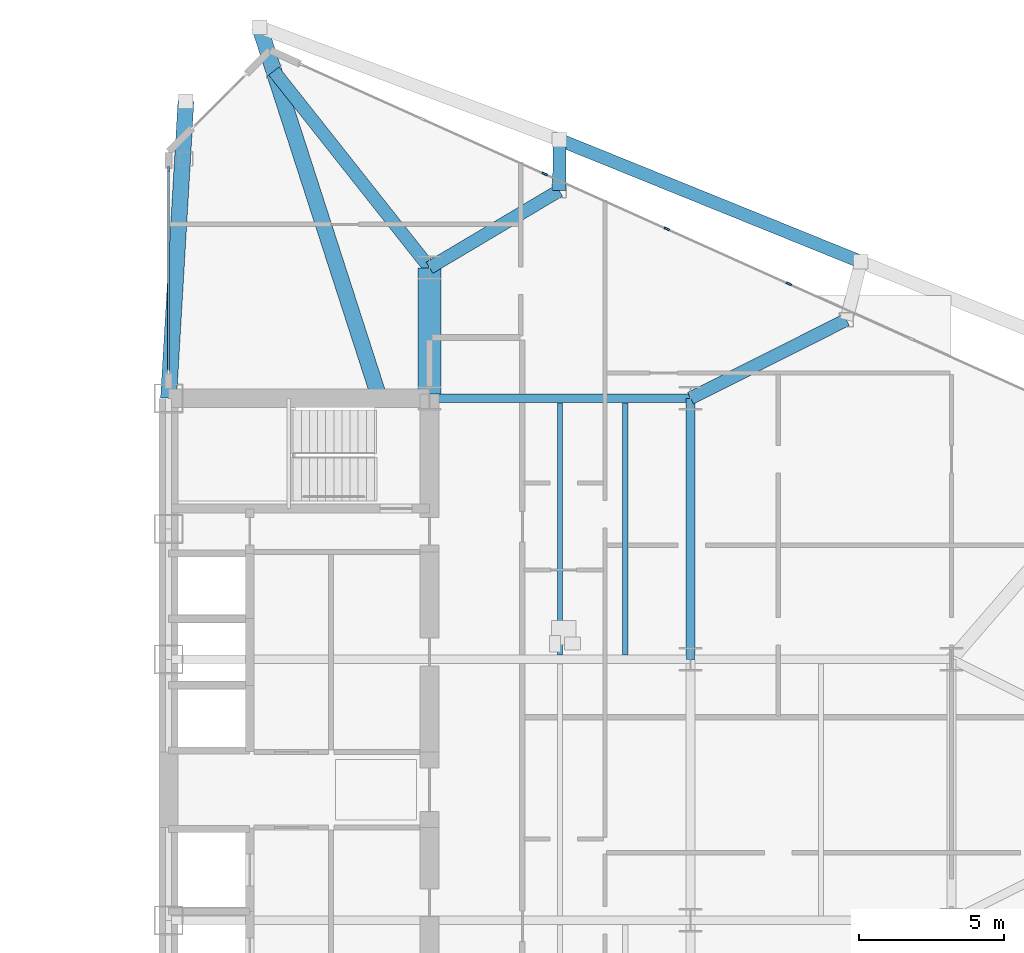
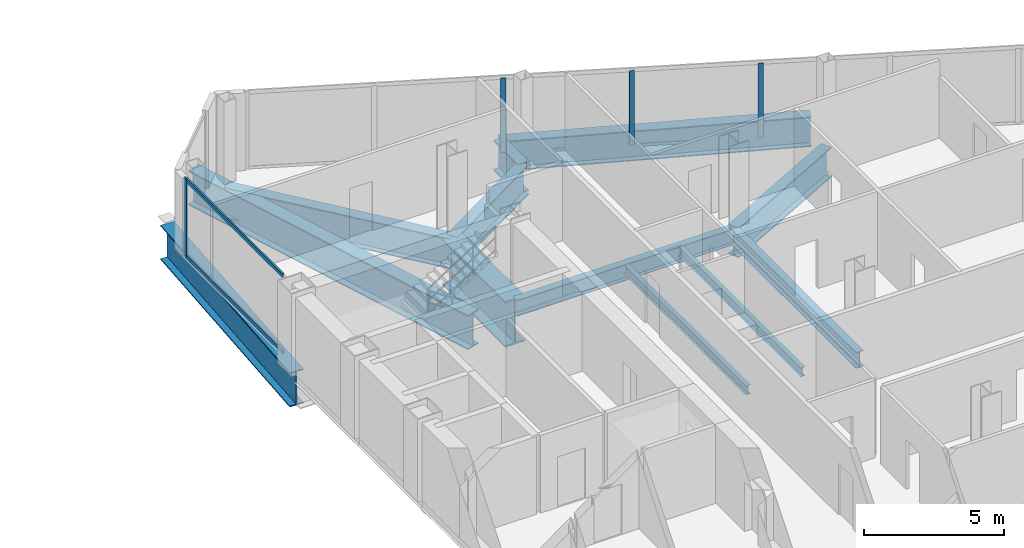
# One storey, part 14 of 29: 12 beams, 6 members, 2 elements without a shape of their own.
"""IFC4 building model written with IfcOpenShell, lengths in metres."""

from ifc_helpers import new_model, si_unit, direction, frame, origin, origin_2d, place, context, subcontext, project, spatial, rectangle, i_section, extrude, source, transform, mapped, material, layer, layer_set, material_profile, profile_set, type_object, type_shapes, element, aggregate, save


model = new_model("IFC4")

# Units and contexts
model_context = context("Model", 3, precision=1e-05, world=origin(), true_north=direction((0.0, 1.0)))
body_context = subcontext(model_context, "Body", "Model", "MODEL_VIEW")
ifc_project = project(units=[si_unit("LENGTHUNIT", "METRE"), si_unit("AREAUNIT", "SQUARE_METRE"), si_unit("VOLUMEUNIT", "CUBIC_METRE"), si_unit("PLANEANGLEUNIT", "RADIAN"), si_unit("MASSUNIT", "GRAM", prefix="KILO")], contexts=[model_context])

# Site, building, storey
site_placement = place(None, origin())
site = spatial("IfcSite", under=ifc_project, at=site_placement, CompositionType="ELEMENT")
building_placement = place(site_placement, origin())
building = spatial("IfcBuilding", under=site, at=building_placement, Name="Seokmaru Belvedere", CompositionType="ELEMENT")
storey_placement = place(building_placement, frame((0.0, 0.0, 62.10009765625)))
storey = spatial("IfcBuildingStorey", under=building, at=storey_placement, Name="L16", CompositionType="ELEMENT", Elevation=62.10009765625)

# Beams
ifc_material_1 = material(Name="Steel SM355 (355 MPa)", Category="steel")
ifc_material_profile_1 = material_profile(ifc_material_1, i_section(OverallWidth=0.300048828125, OverallDepth=0.699951171875, WebThickness=0.012939453125, FlangeThickness=0.02392578125, at=origin_2d()), Name="H-700x300x13x24")
ifc_profile_set_1 = profile_set([ifc_material_profile_1], Name="Steel SM355 (355 MPa)")
beam_type_1 = type_object("IfcBeamType", Name="Primary Floor Girder H-700", PredefinedType="BEAM", material=ifc_profile_set_1)
shared_shape_1 = source(origin(), body_context, "Body", "SweptSolid", [
    extrude(i_section(OverallWidth=0.300048828125, OverallDepth=0.699951171875, WebThickness=0.012939453125, FlangeThickness=0.02392578125, at=origin_2d()), origin(), (0.0, 0.0, 1.0), 9.0),
])
type_shapes(beam_type_1, [shared_shape_1])
for number, where, z_axis, x_axis, name in (
    (1, (45.5, 4.5, -0.570068359375), (0.0, 1.0, 0.0), (-1.0, 0.0, 0.0), "L16 E Interior Grid Girder 3"),
    (2, (36.5, 13.5, -0.570068359375), (1.0, 0.0, 0.0), (0.0, 1.0, 0.0), "L16 E Wing Primary Girder 4"),
):
    element("IfcBeam", number, at=place(storey_placement, frame(where, z_axis=z_axis, x_axis=x_axis)), inside=storey, type_object=beam_type_1, Name=name, PredefinedType="BEAM", context=body_context, shape_type="MappedRepresentation", body=[
        mapped(shared_shape_1, transform((0.0, 0.0, 0.0), scale=1.0)),
    ])
ifc_material_profile_2 = material_profile(ifc_material_1, i_section(OverallWidth=0.18505859375, OverallDepth=0.389892578125, WebThickness=0.008056640625, FlangeThickness=0.011962890625, at=origin_2d()), Name="H-390x185x8x12")
ifc_profile_set_2 = profile_set([ifc_material_profile_2], Name="Steel SM355 (355 MPa)")
beam_type_2 = type_object("IfcBeamType", Name="Secondary Floor Joist H-350", PredefinedType="JOIST", material=ifc_profile_set_2)
shared_shape_2 = source(origin(), body_context, "Body", "SweptSolid", [
    extrude(i_section(OverallWidth=0.18505859375, OverallDepth=0.389892578125, WebThickness=0.008056640625, FlangeThickness=0.011962890625, at=origin_2d()), origin(), (0.0, 0.0, 1.0), 8.68994140625),
])
type_shapes(beam_type_2, [shared_shape_2])
for number, where, z_axis, x_axis, name in (
    (3, (43.25, 4.655029296875, -0.4150390625), (0.0, 1.0, 0.0), (-1.0, 0.0, 0.0), "L16 E Wing Inner Secondary Joist 2"),
    (4, (41.0, 4.655029296875, -0.4150390625), (0.0, 1.0, 0.0), (-1.0, 0.0, 0.0), "L16 E Secondary Floor Joist 3"),
):
    element("IfcBeam", number, at=place(storey_placement, frame(where, z_axis=z_axis, x_axis=x_axis)), inside=storey, type_object=beam_type_2, Name=name, PredefinedType="JOIST", context=body_context, shape_type="MappedRepresentation", body=[
        mapped(shared_shape_2, transform((0.0, 0.0, 0.0), scale=1.0)),
    ])
ifc_material_2 = material(Name="Steel HSA650 (650 MPa)", Category="steel")
ifc_material_profile_3 = material_profile(ifc_material_2, i_section(OverallWidth=0.800048828125, OverallDepth=2.0, WebThickness=0.0400390625, FlangeThickness=0.070068359375, at=origin_2d()), Name="BH-2000x800x40x70")
ifc_profile_set_3 = profile_set([ifc_material_profile_3], Name="Steel HSA650 (650 MPa)")
beam_type_3 = type_object("IfcBeamType", Name="Sky-Gate Transfer Truss Chord Girder BH-2000", PredefinedType="BEAM", material=ifc_profile_set_3)
shared_shape_3 = source(origin(), body_context, "Body", "SweptSolid", [
    extrude(i_section(OverallWidth=0.800048828125, OverallDepth=2.0, WebThickness=0.0400390625, FlangeThickness=0.070068359375, at=origin_2d()), origin(), (0.0, 0.0, 1.0), 4.5),
])
type_shapes(beam_type_3, [shared_shape_3])
beam_1_placement = place(storey_placement, frame((36.5, 13.5, -1.22021484375), z_axis=(0.0, 1.0, 0.0), x_axis=(-1.0, 0.0, 0.0)))
element("IfcBeam", 5, at=beam_1_placement, inside=storey, type_object=beam_type_3, Name="L16 E Core Shoulder Girder N", PredefinedType="BEAM", context=body_context, shape_type="MappedRepresentation", body=[
    mapped(shared_shape_3, transform((0.0, 0.0, 0.0), scale=1.0)),
])
ifc_material_profile_4 = material_profile(ifc_material_2, i_section(OverallWidth=0.449951171875, OverallDepth=1.300048828125, WebThickness=0.02197265625, FlangeThickness=0.0380859375, at=origin_2d()), Name="BH-1300x450x22x38")
ifc_profile_set_4 = profile_set([ifc_material_profile_4], Name="Steel HSA650 (650 MPa)")
beam_type_4 = type_object("IfcBeamType", Name="Observatory Long-Span Roof Girder BH-1300", PredefinedType="BEAM", material=ifc_profile_set_4)
shared_shape_4 = source(origin(), body_context, "Body", "SweptSolid", [
    extrude(i_section(OverallWidth=0.449951171875, OverallDepth=1.300048828125, WebThickness=0.02197265625, FlangeThickness=0.0380859375, at=origin_2d()), origin(), (0.0, 0.0, 1.0), 11.220703125),
])
beam_2_placement = place(storey_placement, frame((40.977294921875, 22.4140625, -0.8701171875), z_axis=(0.926944290816, -0.375198989503, 0.0), x_axis=(0.375198989503, 0.926944290816, 0.0)))
element("IfcBeam", 6, at=beam_2_placement, inside=storey, type_object=beam_type_4, Name="L16 E Faceted Flank Spandrel N-2", PredefinedType="BEAM", context=body_context, shape_type="MappedRepresentation", body=[
    mapped(shared_shape_4, transform((0.0, 0.0, 0.0), scale=1.0)),
])
ifc_material_profile_5 = material_profile(ifc_material_2, i_section(OverallWidth=0.550048828125, OverallDepth=1.5, WebThickness=0.028076171875, FlangeThickness=0.044921875, at=origin_2d()), Name="BH-1500x550x28x45")
ifc_profile_set_5 = profile_set([ifc_material_profile_5], Name="Steel HSA650 (650 MPa)")
beam_type_5 = type_object("IfcBeamType", Name="Setback Transfer Girder BH-1500", PredefinedType="BEAM", material=ifc_profile_set_5)
shared_shape_5 = source(origin(), body_context, "Body", "SweptSolid", [
    extrude(i_section(OverallWidth=0.550048828125, OverallDepth=1.5, WebThickness=0.028076171875, FlangeThickness=0.044921875, at=origin_2d()), origin(), (0.0, 0.0, 1.0), 10.26904296875),
])
beam_3_placement = place(storey_placement, frame((28.10009765625, 23.75146484375, -0.97021484375), z_axis=(-0.058437709399, -0.998291056817, 0.0), x_axis=(0.998291056817, -0.058437709399, 0.0)))
element("IfcBeam", 7, at=beam_3_placement, inside=storey, type_object=beam_type_5, Name="L16 E Setback Transfer Girder 5", PredefinedType="BEAM", context=body_context, shape_type="MappedRepresentation", body=[
    mapped(shared_shape_5, transform((0.0, 0.0, 0.0), scale=1.0)),
])
shared_shape_6 = source(origin(), body_context, "Body", "SweptSolid", [
    extrude(i_section(OverallWidth=0.550048828125, OverallDepth=1.5, WebThickness=0.028076171875, FlangeThickness=0.044921875, at=origin_2d()), origin(), (0.0, 0.0, 1.0), 13.445068359375),
])
type_shapes(beam_type_5, [shared_shape_5, shared_shape_6])
beam_4_placement = place(storey_placement, frame((30.643310546875, 26.294677734375, -0.97021484375), z_axis=(0.307241517506, -0.951631572574, 0.0), x_axis=(0.951631572574, 0.307241517506, 0.0)))
element("IfcBeam", 8, at=beam_4_placement, inside=storey, type_object=beam_type_5, Name="L16 E Setback Transfer Girder 4", PredefinedType="BEAM", context=body_context, shape_type="MappedRepresentation", body=[
    mapped(shared_shape_6, transform((0.0, 0.0, 0.0), scale=1.0)),
])
shared_shape_7 = source(origin(), body_context, "Body", "SweptSolid", [
    extrude(i_section(OverallWidth=0.449951171875, OverallDepth=1.300048828125, WebThickness=0.02197265625, FlangeThickness=0.0380859375, at=origin_2d()), origin(), (0.0, 0.0, 1.0), 8.650390625),
])
beam_5_placement = place(storey_placement, frame((31.13134765625, 24.782958984375, -0.8701171875), z_axis=(0.620618362853, -0.784112777405, 0.0), x_axis=(0.784112777405, 0.620618362853, 0.0)))
element("IfcBeam", 9, at=beam_5_placement, inside=storey, type_object=beam_type_4, Name="L16 E Shoulder Sanity Tie Girder 4", PredefinedType="BEAM", context=body_context, shape_type="MappedRepresentation", body=[
    mapped(shared_shape_7, transform((0.0, 0.0, 0.0), scale=1.0)),
])
shared_shape_8 = source(origin(), body_context, "Body", "SweptSolid", [
    extrude(i_section(OverallWidth=0.449951171875, OverallDepth=1.300048828125, WebThickness=0.02197265625, FlangeThickness=0.0380859375, at=origin_2d()), origin(), (0.0, 0.0, 1.0), 1.752685546875),
])
beam_6_placement = place(storey_placement, frame((40.977294921875, 22.4140625, -0.8701171875), z_axis=(-0.002646598894, -0.999996497751, 0.0), x_axis=(0.999996497751, -0.002646598894, 0.0)))
element("IfcBeam", 10, at=beam_6_placement, inside=storey, type_object=beam_type_4, Name="L16 E Flank Setback Step Girder N-1", PredefinedType="BEAM", context=body_context, shape_type="MappedRepresentation", body=[
    mapped(shared_shape_8, transform((0.0, 0.0, 0.0), scale=1.0)),
])
shared_shape_9 = source(origin(), body_context, "Body", "SweptSolid", [
    extrude(i_section(OverallWidth=0.449951171875, OverallDepth=1.300048828125, WebThickness=0.02197265625, FlangeThickness=0.0380859375, at=origin_2d()), origin(), (0.0, 0.0, 1.0), 5.20458984375),
])
beam_7_placement = place(storey_placement, frame((40.97265625, 20.661376953125, -0.8701171875), z_axis=(-0.859370434188, -0.511353553662, 0.0), x_axis=(0.511353553662, -0.859370434188, 0.0)))
element("IfcBeam", 11, at=beam_7_placement, inside=storey, type_object=beam_type_4, Name="L16 E Flank Setback Back-Span Girder N-1", PredefinedType="BEAM", context=body_context, shape_type="MappedRepresentation", body=[
    mapped(shared_shape_9, transform((0.0, 0.0, 0.0), scale=1.0)),
])
shared_shape_10 = source(origin(), body_context, "Body", "SweptSolid", [
    extrude(i_section(OverallWidth=0.449951171875, OverallDepth=1.300048828125, WebThickness=0.02197265625, FlangeThickness=0.0380859375, at=origin_2d()), origin(), (0.0, 0.0, 1.0), 6.017333984375),
])
type_shapes(beam_type_4, [shared_shape_4, shared_shape_7, shared_shape_8, shared_shape_9, shared_shape_10])
beam_8_placement = place(storey_placement, frame((50.875, 16.205322265625, -0.8701171875), z_axis=(-0.893239341975, -0.449581447512, 0.0), x_axis=(0.449581447512, -0.893239341975, 0.0)))
element("IfcBeam", 12, at=beam_8_placement, inside=storey, type_object=beam_type_4, Name="L16 E Flank Setback Back-Span Girder N-2", PredefinedType="BEAM", context=body_context, shape_type="MappedRepresentation", body=[
    mapped(shared_shape_10, transform((0.0, 0.0, 0.0), scale=1.0)),
])

# Curtain wall, members
ifc_material_3 = material(Name="Bronze Triple Insulating Glass", Category="glass")
ifc_layer = layer(ifc_material_3, 0.195068359375)
ifc_layer_set = layer_set([ifc_layer], Name="Bronze Triple Insulating Glass")
curtain_wall_type = type_object("IfcCurtainWallType", Name="Lower-Mid Tapered Curtain Wall System CW-3", PredefinedType="NOTDEFINED", material=ifc_layer_set)
curtain_wall_1_placement = place(storey_placement, origin())
curtain_wall_1 = element("IfcCurtainWall", 13, at=curtain_wall_1_placement, inside=storey, type_object=curtain_wall_type, Name="L16 Curtain Wall ESP_2", PredefinedType="NOTDEFINED")
ifc_material_4 = material(Name="Anodised Bronze Aluminium", Category="aluminium")
ifc_material_profile_6 = material_profile(ifc_material_4, rectangle(XDim=0.070068359375, YDim=0.195068359375, at=origin_2d()), Name="CW-M-70x195")
ifc_profile_set_6 = profile_set([ifc_material_profile_6], Name="Anodised Bronze Aluminium")
member_type_1 = type_object("IfcMemberType", Name="Bronze Unitised Mullion 70x195", PredefinedType="MULLION", material=ifc_profile_set_6)
shared_shape_11 = source(origin(), body_context, "Body", "SweptSolid", [
    extrude(rectangle(XDim=0.070068359375, YDim=0.195068359375, at=origin_2d()), origin(), (0.0, 0.0, 1.0), 3.3798828125),
])
member_1_placement = place(storey_placement, frame((27.5, 21.39501953125, 0.0), z_axis=(0.0, 0.0, 1.0), x_axis=(1.0, 0.0, 0.0)))
member_1 = element("IfcMember", 14, at=member_1_placement, type_object=member_type_1, Name="CW:L16:ESP_2 Mullion 1", PredefinedType="MULLION", context=body_context, shape_type="MappedRepresentation", body=[
    mapped(shared_shape_11, transform((0.0, 0.0, 0.0), scale=1.0)),
])
ifc_material_profile_7 = material_profile(ifc_material_4, rectangle(XDim=0.070068359375, YDim=0.1650390625, at=origin_2d()), Name="CW-T-70x165")
ifc_profile_set_7 = profile_set([ifc_material_profile_7], Name="Anodised Bronze Aluminium")
member_type_2 = type_object("IfcMemberType", Name="Bronze Unitised Transom 70x165", PredefinedType="USERDEFINED", material=ifc_profile_set_7)
shared_shape_12 = source(origin(), body_context, "Body", "SweptSolid", [
    extrude(rectangle(XDim=0.070068359375, YDim=0.1650390625, at=origin_2d()), origin(), (0.0, 0.0, 1.0), 6.91015625),
])
type_shapes(member_type_2, [shared_shape_12])
member_2_placement = place(storey_placement, frame((27.5, 21.360107421875, 0.034912109375), z_axis=(0.0, -1.0, 0.0), x_axis=(1.0, 0.0, 0.0)))
member_2 = element("IfcMember", 15, at=member_2_placement, type_object=member_type_2, Name="CW:L16:ESP_2 Continuous Transom 1", ObjectType="TRANSOM", PredefinedType="USERDEFINED", context=body_context, shape_type="MappedRepresentation", body=[
    mapped(shared_shape_12, transform((0.0, 0.0, 0.0), scale=1.0)),
])
member_3_placement = place(storey_placement, frame((27.5, 21.360107421875, 3.344970703125), z_axis=(0.0, -1.0, 0.0), x_axis=(1.0, 0.0, 0.0)))
member_3 = element("IfcMember", 16, at=member_3_placement, type_object=member_type_2, Name="CW:L16:ESP_2 Continuous Transom 2", ObjectType="TRANSOM", PredefinedType="USERDEFINED", context=body_context, shape_type="MappedRepresentation", body=[
    mapped(shared_shape_12, transform((0.0, 0.0, 0.0), scale=1.0)),
])
aggregate(curtain_wall_1, [member_1, member_2, member_3])

curtain_wall_2_placement = place(storey_placement, origin())
curtain_wall_2 = element("IfcCurtainWall", 17, at=curtain_wall_2_placement, inside=storey, type_object=curtain_wall_type, Name="L16 Curtain Wall EF3", PredefinedType="NOTDEFINED")
shared_shape_13 = source(origin(), body_context, "Body", "SweptSolid", [
    extrude(rectangle(XDim=0.070068359375, YDim=0.195068359375, at=origin_2d()), origin(), (0.0, 0.0, 1.0), 3.239990234375),
])
type_shapes(member_type_1, [shared_shape_11, shared_shape_13])
member_4_placement = place(storey_placement, frame((48.894287109375, 17.447509765625, 0.06982421875), z_axis=(0.0, 0.0, 1.0), x_axis=(-0.41036554765, -0.91192111353, 0.0)))
member_4 = element("IfcMember", 18, at=member_4_placement, type_object=member_type_1, Name="CW:L16:EF3 Mullion 6", PredefinedType="MULLION", context=body_context, shape_type="MappedRepresentation", body=[
    mapped(shared_shape_13, transform((0.0, 0.0, 0.0), scale=1.0)),
])
member_5_placement = place(storey_placement, frame((44.682861328125, 19.3427734375, 0.06982421875), z_axis=(0.0, 0.0, 1.0), x_axis=(-0.41036554765, -0.91192111353, 0.0)))
member_5 = element("IfcMember", 19, at=member_5_placement, type_object=member_type_1, Name="CW:L16:EF3 Mullion 7", PredefinedType="MULLION", context=body_context, shape_type="MappedRepresentation", body=[
    mapped(shared_shape_13, transform((0.0, 0.0, 0.0), scale=1.0)),
])
member_6_placement = place(storey_placement, frame((40.471435546875, 21.23779296875, 0.06982421875), z_axis=(0.0, 0.0, 1.0), x_axis=(-0.41036554765, -0.91192111353, 0.0)))
member_6 = element("IfcMember", 20, at=member_6_placement, type_object=member_type_1, Name="CW:L16:EF3 Mullion 8", PredefinedType="MULLION", context=body_context, shape_type="MappedRepresentation", body=[
    mapped(shared_shape_13, transform((0.0, 0.0, 0.0), scale=1.0)),
])
aggregate(curtain_wall_2, [member_4, member_5, member_6])

save(model, "model.ifc")
